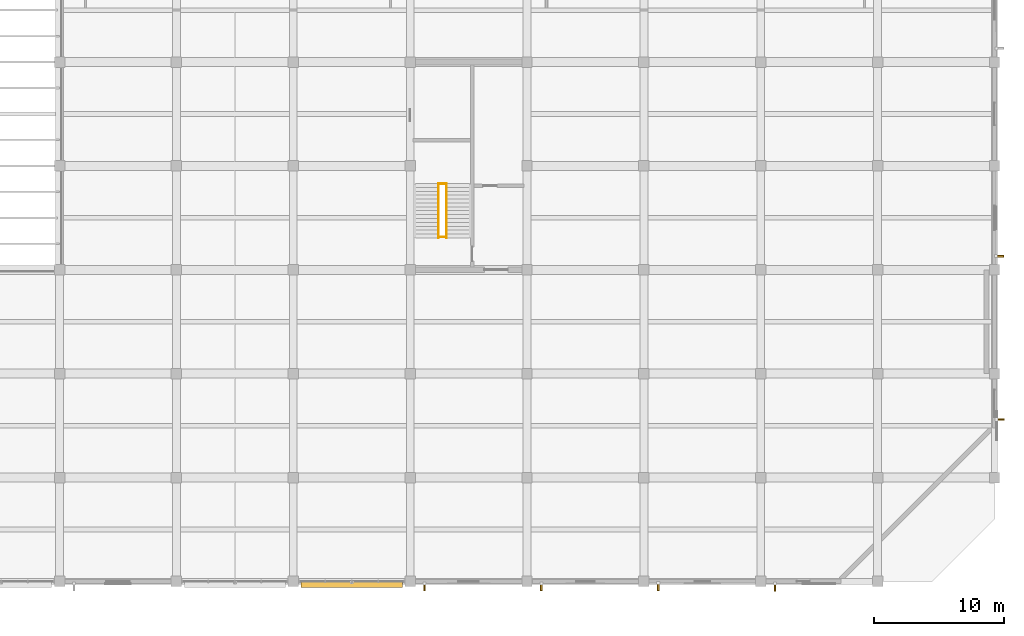
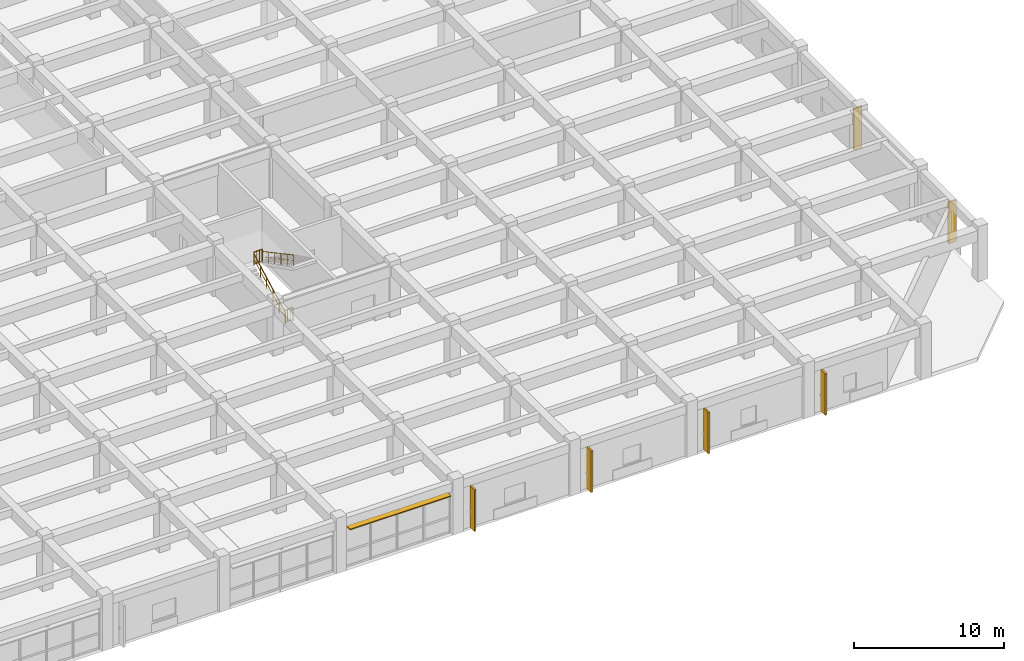
# One storey, part 48 of 50: 7 shading devices, 4 railings.
"""IFC4 building model written with IfcOpenShell, lengths in metres."""

from ifc_helpers import new_model, si_unit, direction, frame, frame_2d, origin, origin_2d, place, context, subcontext, project, spatial, rectangle, circle, extrude, material, layer, layer_set, type_object, element, save


model = new_model("IFC4")

# Units and contexts
model_context = context("Model", 3, precision=1e-05, world=origin(), true_north=direction((0.0, 1.0)))
body_context = subcontext(model_context, "Body", "Model", "MODEL_VIEW")
ifc_project = project(units=[si_unit("LENGTHUNIT", "METRE"), si_unit("AREAUNIT", "SQUARE_METRE"), si_unit("VOLUMEUNIT", "CUBIC_METRE"), si_unit("PLANEANGLEUNIT", "RADIAN"), si_unit("MASSUNIT", "GRAM", prefix="KILO")], contexts=[model_context])

# Site, building, storey
site_placement = place(None, origin())
site = spatial("IfcSite", under=ifc_project, at=site_placement, CompositionType="ELEMENT")
building_placement = place(site_placement, origin())
building = spatial("IfcBuilding", under=site, at=building_placement, Name="Zaverband Oceanarium and Marine Research Institute", CompositionType="ELEMENT")
storey_placement = place(building_placement, frame((0.0, 0.0, 9.0)))
storey = spatial("IfcBuildingStorey", under=building, at=storey_placement, Name="L02", CompositionType="ELEMENT", Elevation=9.0)

# Railings
ifc_material_1 = material(Name="Steel S355", Category="steel")
ifc_layer_1 = layer(ifc_material_1, 0.06005859375, Name="Steel S355")
ifc_layer_set_1 = layer_set([ifc_layer_1], Name="Steel S355")
railing_type_1 = type_object("IfcRailingType", Name="GRD-1100", PredefinedType="BALUSTRADE", material=ifc_layer_set_1)
for number, where, name in (
    (1, (137.18994140625, 30.6298828125, 2.25), "1100 mm steel post-and-baluster safety guard GRD-1100"),
    (2, (137.18994140625, 26.530029296875, 0.0), "1100 mm steel post-and-baluster safety guard GRD-1100"),
):
    element("IfcRailing", number, at=place(storey_placement, frame(where)), inside=storey, type_object=railing_type_1, Name=name, PredefinedType="BALUSTRADE", context=body_context, shape_type="SweptSolid", body=[
        extrude(circle(Radius=0.02392578125, at=origin_2d()), frame((0.0, 0.0, 1.076171875), z_axis=(1.0, 0.0, 0.0), x_axis=(0.0, 1.0, 0.0)), (0.0, 0.0, 1.0), 0.6201171875),
        extrude(circle(Radius=0.009033203125, at=origin_2d()), frame((0.0, 0.0, 0.10009765625), z_axis=(1.0, 0.0, 0.0), x_axis=(0.0, 1.0, 0.0)), (0.0, 0.0, 1.0), 0.6201171875),
        extrude(circle(Radius=0.009033203125, at=origin_2d()), frame((0.206787109375, 0.0, 0.10009765625)), (0.0, 0.0, 1.0), 0.951904296875),
        extrude(circle(Radius=0.009033203125, at=origin_2d()), frame((0.413330078125, 0.0, 0.10009765625)), (0.0, 0.0, 1.0), 0.951904296875),
        extrude(circle(Radius=0.02099609375, at=origin_2d()), origin(), (0.0, 0.0, 1.0), 1.052001953125),
        extrude(circle(Radius=0.02099609375, at=origin_2d()), frame((0.6201171875, 0.0, 0.0)), (0.0, 0.0, 1.0), 1.052001953125),
    ])
ifc_layer_2 = layer(ifc_material_1, 0.050048828125, Name="Steel S355")
ifc_layer_set_2 = layer_set([ifc_layer_2], Name="Steel S355")
railing_type_2 = type_object("IfcRailingType", Name="HR-920", PredefinedType="HANDRAIL", material=ifc_layer_set_2)
railing_1_placement = place(storey_placement, frame((137.18994140625, 26.449951171875, 0.0)))
element("IfcRailing", 3, at=railing_1_placement, inside=storey, type_object=railing_type_2, Name="920 mm continuous tubular stair and ramp handrail HR-920", PredefinedType="HANDRAIL", context=body_context, shape_type="SweptSolid", body=[
    extrude(circle(Radius=0.02392578125, at=origin_2d()), frame((0.0, 0.0, 0.89599609375), z_axis=(0.0, 0.881477684796, 0.472225678258), x_axis=(-1.0, 0.0, 0.0)), (0.0, 0.0, 1.0), 4.7646484375),
    extrude(circle(Radius=0.009033203125, at=origin_2d()), frame((0.0, 0.0, 0.4599609375), z_axis=(0.0, 0.881477684796, 0.472225678258), x_axis=(-1.0, 0.0, 0.0)), (0.0, 0.0, 1.0), 4.7646484375),
    extrude(circle(Radius=0.02099609375, at=origin_2d()), origin(), (0.0, 0.0, 1.0), 0.871826171875),
    extrude(circle(Radius=0.02099609375, at=origin_2d()), frame((0.0, 0.840087890625, 0.449951171875)), (0.0, 0.0, 1.0), 0.871826171875),
    extrude(circle(Radius=0.02099609375, at=origin_2d()), frame((0.0, 1.679931640625, 0.89990234375)), (0.0, 0.0, 1.0), 0.871826171875),
    extrude(circle(Radius=0.02099609375, at=origin_2d()), frame((0.0, 2.52001953125, 1.35009765625)), (0.0, 0.0, 1.0), 0.871826171875),
    extrude(circle(Radius=0.02099609375, at=origin_2d()), frame((0.0, 3.35986328125, 1.800048828125)), (0.0, 0.0, 1.0), 0.871826171875),
    extrude(circle(Radius=0.02099609375, at=origin_2d()), frame((0.0, 4.199951171875, 2.25)), (0.0, 0.0, 1.0), 0.871826171875),
])
railing_2_placement = place(storey_placement, frame((137.81005859375, 30.64990234375, 2.25)))
element("IfcRailing", 4, at=railing_2_placement, inside=storey, type_object=railing_type_2, Name="920 mm continuous tubular stair and ramp handrail HR-920", PredefinedType="HANDRAIL", context=body_context, shape_type="SweptSolid", body=[
    extrude(circle(Radius=0.02392578125, at=origin_2d()), frame((0.0, 0.0, 0.89599609375), z_axis=(0.0, -0.881477684796, 0.472225678258), x_axis=(1.0, 0.0, 0.0)), (0.0, 0.0, 1.0), 4.7646484375),
    extrude(circle(Radius=0.009033203125, at=origin_2d()), frame((0.0, 0.0, 0.4599609375), z_axis=(0.0, -0.881477684796, 0.472225678258), x_axis=(1.0, 0.0, 0.0)), (0.0, 0.0, 1.0), 4.7646484375),
    extrude(circle(Radius=0.02099609375, at=origin_2d()), origin(), (0.0, 0.0, 1.0), 0.871826171875),
    extrude(circle(Radius=0.02099609375, at=origin_2d()), frame((0.0, -0.840087890625, 0.449951171875)), (0.0, 0.0, 1.0), 0.871826171875),
    extrude(circle(Radius=0.02099609375, at=origin_2d()), frame((0.0, -1.679931640625, 0.89990234375)), (0.0, 0.0, 1.0), 0.871826171875),
    extrude(circle(Radius=0.02099609375, at=origin_2d()), frame((0.0, -2.52001953125, 1.35009765625)), (0.0, 0.0, 1.0), 0.871826171875),
    extrude(circle(Radius=0.02099609375, at=origin_2d()), frame((0.0, -3.35986328125, 1.800048828125)), (0.0, 0.0, 1.0), 0.871826171875),
    extrude(circle(Radius=0.02099609375, at=origin_2d()), frame((0.0, -4.199951171875, 2.25)), (0.0, 0.0, 1.0), 0.871826171875),
])

# Shading devices
ifc_material_2 = material(Name="Concrete C40/50 precast brise-soleil", Category="concrete")
ifc_layer_3 = layer(ifc_material_2, 0.139892578125, Name="Concrete C40/50 precast brise-soleil")
ifc_layer_set_3 = layer_set([ifc_layer_3], Name="Concrete C40/50 precast brise-soleil")
shading_device_type_1 = type_object("IfcShadingDeviceType", Name="SHD-FIN-600", PredefinedType="JALOUSIE", material=ifc_layer_set_3)
for number, where, z_axis, x_axis, name in (
    (5, (136.10498046875, -0.135009765625, 0.0), (0.0, 0.0, 1.0), (0.0, -1.0, 0.0), "600 mm vertical precast brise-soleil fin SHD-FIN-600"),
    (6, (145.10498046875, -0.125, 0.0), (0.0, 0.0, 1.0), (0.0, -1.0, 0.0), "600 mm vertical precast brise-soleil fin SHD-FIN-600"),
):
    element("IfcShadingDevice", number, at=place(storey_placement, frame(where, z_axis=z_axis, x_axis=x_axis)), inside=storey, type_object=shading_device_type_1, Name=name, PredefinedType="JALOUSIE", context=body_context, shape_type="SweptSolid", body=[
        extrude(rectangle(XDim=0.60009765625, YDim=0.139892578125, at=frame_2d((0.300048828125, 0.0))), origin(), (0.0, 0.0, 1.0), 3.3701171875),
    ])
shading_device_1_placement = place(storey_placement, frame((154.10498046875, -0.112548828125, 0.0), z_axis=(0.0, 0.0, 1.0), x_axis=(0.0, -1.0, 0.0)))
element("IfcShadingDevice", 7, at=shading_device_1_placement, inside=storey, type_object=shading_device_type_1, Name="600 mm vertical precast brise-soleil fin SHD-FIN-600", PredefinedType="JALOUSIE", context=body_context, shape_type="SweptSolid", body=[
    extrude(rectangle(XDim=0.599853515625, YDim=0.139892578125, at=frame_2d((0.2998046875, 0.0))), origin(), (0.0, 0.0, 1.0), 3.3701171875),
])
for number, where, z_axis, x_axis, name in (
    (8, (163.10498046875, -0.14990234375, 0.0), (0.0, 0.0, 1.0), (0.0, -1.0, 0.0), "600 mm vertical precast brise-soleil fin SHD-FIN-600"),
    (9, (180.135009765625, 12.469970703125, 0.0), (0.0, 0.0, 1.0), (1.0, 0.0, 0.0), "600 mm vertical precast brise-soleil fin SHD-FIN-600"),
):
    element("IfcShadingDevice", number, at=place(storey_placement, frame(where, z_axis=z_axis, x_axis=x_axis)), inside=storey, type_object=shading_device_type_1, Name=name, PredefinedType="JALOUSIE", context=body_context, shape_type="SweptSolid", body=[
        extrude(rectangle(XDim=0.60009765625, YDim=0.139892578125, at=frame_2d((0.300048828125, 0.0))), origin(), (0.0, 0.0, 1.0), 3.3701171875),
    ])
shading_device_2_placement = place(storey_placement, frame((180.112548828125, 25.054931640625, 0.0), z_axis=(0.0, 0.0, 1.0), x_axis=(1.0, 0.0, 0.0)))
element("IfcShadingDevice", 10, at=shading_device_2_placement, inside=storey, type_object=shading_device_type_1, Name="600 mm vertical precast brise-soleil fin SHD-FIN-600", PredefinedType="JALOUSIE", context=body_context, shape_type="SweptSolid", body=[
    extrude(rectangle(XDim=0.599853515625, YDim=0.139892578125, at=frame_2d((0.2998046875, 0.0))), origin(), (0.0, 0.0, 1.0), 3.3701171875),
])
ifc_material_3 = material(Name="Anodized bronze marine-grade aluminium", Category="aluminium")
ifc_layer_4 = layer(ifc_material_3, 0.080078125, Name="Anodized bronze marine-grade aluminium")
ifc_layer_set_4 = layer_set([ifc_layer_4], Name="Anodized bronze marine-grade aluminium")
shading_device_type_2 = type_object("IfcShadingDeviceType", Name="SHD-LVR-450", PredefinedType="USERDEFINED", material=ifc_layer_set_4)
shading_device_3_placement = place(storey_placement, frame((126.60498046875, -0.239990234375, 3.239990234375), z_axis=(0.0, 0.0, 1.0), x_axis=(1.0, 0.0, 0.0)))
element("IfcShadingDevice", 11, at=shading_device_3_placement, inside=storey, type_object=shading_device_type_2, Name="450 mm horizontal solar shading louvre SHD-LVR-450", ObjectType="LOUVRE", PredefinedType="USERDEFINED", context=body_context, shape_type="SweptSolid", body=[
    extrude(rectangle(XDim=7.7900390625, YDim=0.449951171875, at=frame_2d((3.89501953125, 0.0))), origin(), (0.0, 0.0, 1.0), 0.080078125),
])

save(model, "model.ifc")
